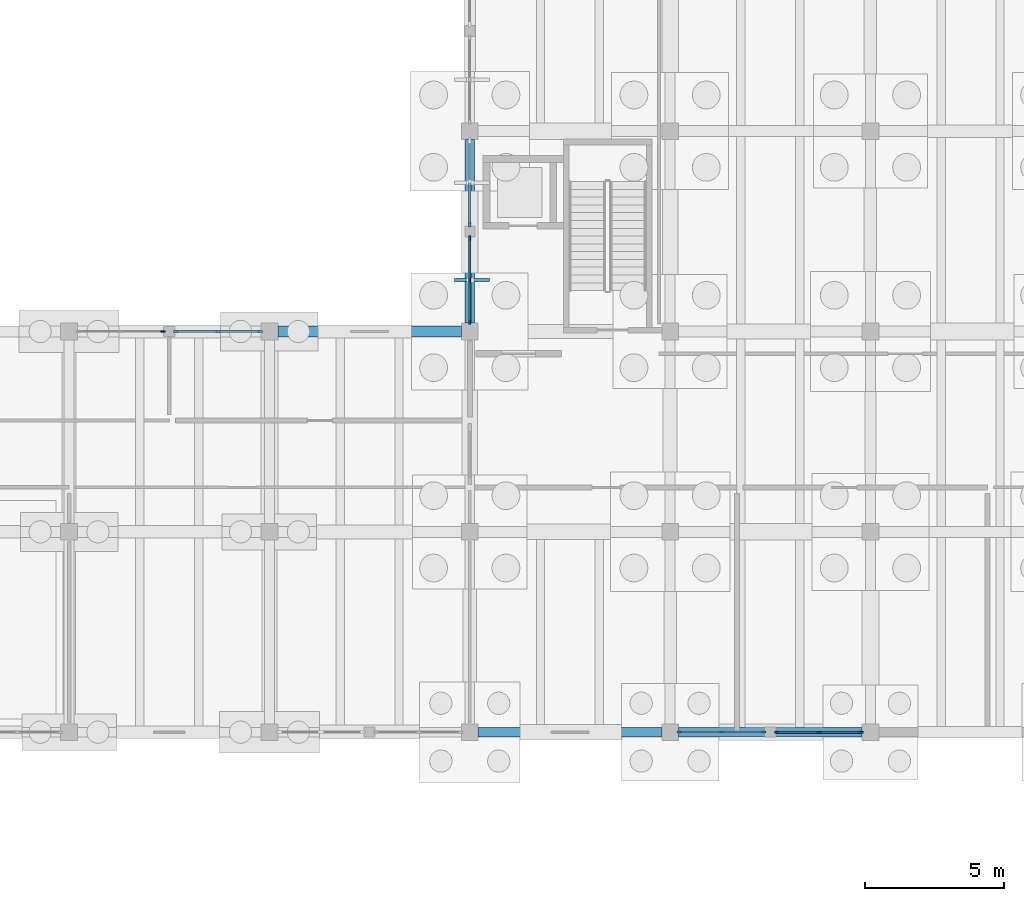
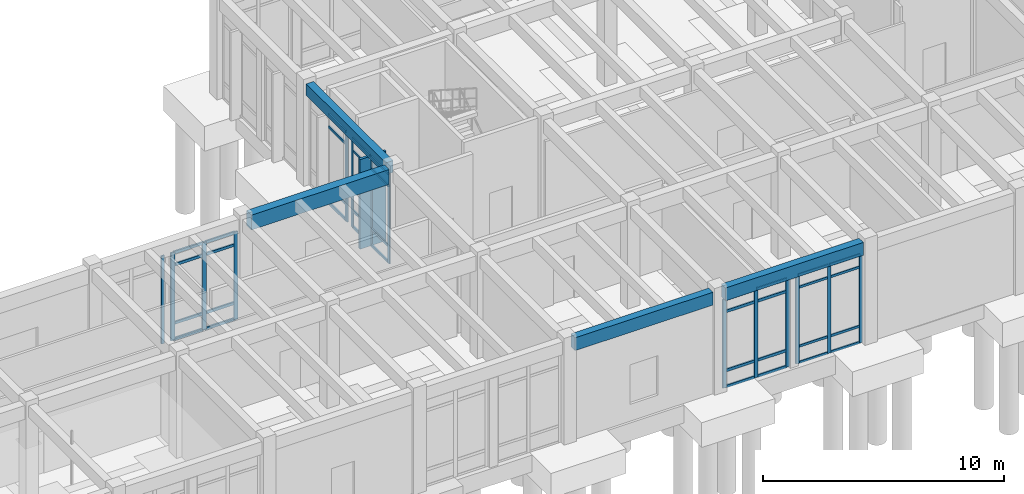
# One storey, part 23 of 93: 51 members, 4 beams, 6 elements without a shape of their own.
"""IFC4 building model written with IfcOpenShell, lengths in metres."""

from ifc_helpers import new_model, si_unit, direction, frame, origin, origin_2d, place, context, subcontext, project, spatial, rectangle, extrude, material, layer, layer_set, material_profile, profile_set, type_object, element, aggregate, save


model = new_model("IFC4")

# Units and contexts
model_context = context("Model", 3, precision=1e-05, world=origin(), true_north=direction((0.0, 1.0)))
body_context = subcontext(model_context, "Body", "Model", "MODEL_VIEW")
ifc_project = project(units=[si_unit("LENGTHUNIT", "METRE"), si_unit("AREAUNIT", "SQUARE_METRE"), si_unit("VOLUMEUNIT", "CUBIC_METRE"), si_unit("PLANEANGLEUNIT", "RADIAN"), si_unit("MASSUNIT", "GRAM", prefix="KILO")], contexts=[model_context])

# Site, building, storey
site_placement = place(None, origin())
site = spatial("IfcSite", under=ifc_project, at=site_placement, CompositionType="ELEMENT")
building_placement = place(site_placement, origin())
building = spatial("IfcBuilding", under=site, at=building_placement, Name="Koriwan Promenade Central Fire Station", CompositionType="ELEMENT")
storey_placement = place(building_placement, origin())
storey = spatial("IfcBuildingStorey", under=building, at=storey_placement, Name="L00", CompositionType="ELEMENT", Elevation=0.0)

# Beams
ifc_material_1 = material(Name="Concrete C35/45", Category="concrete")
ifc_material_profile_1 = material_profile(ifc_material_1, rectangle(XDim=0.35009765625, YDim=0.60009765625, at=origin_2d()), Name="RC-BM-350x600")
ifc_profile_set_1 = profile_set([ifc_material_profile_1], Name="Concrete C35/45")
beam_type_1 = type_object("IfcBeamType", Name="Beam_RC-BM-350x600", PredefinedType="BEAM", material=ifc_profile_set_1)
beam_1_placement = place(storey_placement, frame((28.800048828125, 57.89990234375, 4.85009765625), z_axis=(0.0, 1.0, 0.0), x_axis=(-1.0, 0.0, 0.0)))
element("IfcBeam", 1, at=beam_1_placement, inside=storey, type_object=beam_type_1, Name="V4 L00 girder Y-364", PredefinedType="BEAM", context=body_context, shape_type="SweptSolid", body=[
    extrude(rectangle(XDim=0.35009765625, YDim=0.60009765625, at=origin_2d()), origin(), (0.0, 0.0, 1.0), 6.60009765625),
])
ifc_material_profile_2 = material_profile(ifc_material_1, rectangle(XDim=0.39990234375, YDim=0.75, at=origin_2d()), Name="RC-BM-400x750")
ifc_profile_set_2 = profile_set([ifc_material_profile_2], Name="Concrete C35/45")
beam_type_2 = type_object("IfcBeamType", Name="Beam_RC-BM-400x750", PredefinedType="BEAM", material=ifc_profile_set_2)
beam_2_placement = place(storey_placement, frame((21.89990234375, 57.60009765625, 4.784912109375), z_axis=(1.0, 0.0, 0.0), x_axis=(0.0, 1.0, 0.0)))
element("IfcBeam", 2, at=beam_2_placement, inside=storey, type_object=beam_type_2, Name="V4 L00 girder X-343", PredefinedType="BEAM", context=body_context, shape_type="SweptSolid", body=[
    extrude(rectangle(XDim=0.39990234375, YDim=0.75, at=origin_2d()), origin(), (0.0, 0.0, 1.0), 6.60009765625),
])
ifc_material_profile_3 = material_profile(ifc_material_1, rectangle(XDim=0.35009765625, YDim=0.64990234375, at=origin_2d()), Name="RC-SP-350x650")
ifc_profile_set_3 = profile_set([ifc_material_profile_3], Name="Concrete C35/45")
beam_type_3 = type_object("IfcBeamType", Name="Beam_RC-SP-350x650", PredefinedType="SPANDREL", material=ifc_profile_set_3)
for number, where, z_axis, x_axis, name in (
    (3, (29.10009765625, 43.199951171875, 4.824951171875), (1.0, 0.0, 0.0), (0.0, 1.0, 0.0), "V4 L00 girder X-328"),
    (4, (36.300048828125, 43.199951171875, 4.824951171875), (1.0, 0.0, 0.0), (0.0, 1.0, 0.0), "V4 L00 girder X-329"),
):
    element("IfcBeam", number, at=place(storey_placement, frame(where, z_axis=z_axis, x_axis=x_axis)), inside=storey, type_object=beam_type_3, Name=name, PredefinedType="SPANDREL", context=body_context, shape_type="SweptSolid", body=[
        extrude(rectangle(XDim=0.35009765625, YDim=0.64990234375, at=origin_2d()), origin(), (0.0, 0.0, 1.0), 6.599853515625),
    ])

# Curtain wall, member
ifc_material_2 = material(Name="Aluminium EN AW-6063-T6 and low-E glazing", Category="aluminium")
ifc_layer_1 = layer(ifc_material_2, 0.159912109375, Name="Aluminium EN AW-6063-T6 and low-E glazing")
ifc_layer_set_1 = layer_set([ifc_layer_1], Name="Aluminium EN AW-6063-T6 and low-E glazing")
curtain_wall_type_1 = type_object("IfcCurtainWallType", Name="CurtainWall_37_310x445", PredefinedType="USERDEFINED", material=ifc_layer_set_1)
curtain_wall_1_placement = place(storey_placement, origin())
curtain_wall_1 = element("IfcCurtainWall", 5, at=curtain_wall_1_placement, inside=storey, type_object=curtain_wall_type_1, Name="V4 L00 unitised curtain wall 085", ObjectType="UNITISED CURTAIN WALL", PredefinedType="USERDEFINED")
ifc_material_3 = material(Name="Aluminium EN AW-6063-T6", Category="aluminium")
ifc_material_profile_4 = material_profile(ifc_material_3, rectangle(XDim=0.06494140625, YDim=0.159912109375, at=origin_2d()), Name="ALU-MUL-65x160")
ifc_profile_set_4 = profile_set([ifc_material_profile_4], Name="Aluminium EN AW-6063-T6")
member_type_1 = type_object("IfcMemberType", Name="CWMullion_ALU-MUL-65x160", PredefinedType="MULLION", material=ifc_profile_set_4)
member_1_placement = place(storey_placement, frame((17.767578125, 57.60009765625, 0.0), z_axis=(0.0, 0.0, 1.0), x_axis=(0.0, 1.0, 0.0)))
member_1 = element("IfcMember", 6, at=member_1_placement, type_object=member_type_1, Name="CW-37 mullion 3", PredefinedType="MULLION", context=body_context, shape_type="SweptSolid", body=[
    extrude(rectangle(XDim=0.06494140625, YDim=0.159912109375, at=origin_2d()), origin(), (0.0, 0.0, 1.0), 4.449951171875),
])
aggregate(curtain_wall_1, [member_1])

# Curtain wall, members
ifc_layer_2 = layer(ifc_material_2, 0.159912109375, Name="Aluminium EN AW-6063-T6 and low-E glazing")
ifc_layer_set_2 = layer_set([ifc_layer_2], Name="Aluminium EN AW-6063-T6 and low-E glazing")
curtain_wall_type_2 = type_object("IfcCurtainWallType", Name="CurtainWall_33_310x454", PredefinedType="USERDEFINED", material=ifc_layer_set_2)
curtain_wall_2_placement = place(storey_placement, origin())
curtain_wall_2 = element("IfcCurtainWall", 7, at=curtain_wall_2_placement, inside=storey, type_object=curtain_wall_type_2, Name="V4 L00 unitised curtain wall 087", ObjectType="UNITISED CURTAIN WALL", PredefinedType="USERDEFINED")
member_2_placement = place(storey_placement, frame((28.800048828125, 57.9326171875, 0.0), z_axis=(0.0, 0.0, 1.0), x_axis=(-1.0, 0.0, 0.0)))
member_2 = element("IfcMember", 8, at=member_2_placement, type_object=member_type_1, Name="CW-33 mullion 1", PredefinedType="MULLION", context=body_context, shape_type="SweptSolid", body=[
    extrude(rectangle(XDim=0.06494140625, YDim=0.159912109375, at=origin_2d()), origin(), (0.0, 0.0, 1.0), 4.5400390625),
])
member_3_placement = place(storey_placement, frame((28.800048828125, 59.449951171875, 0.0), z_axis=(0.0, 0.0, 1.0), x_axis=(-1.0, 0.0, 0.0)))
member_3 = element("IfcMember", 9, at=member_3_placement, type_object=member_type_1, Name="CW-33 mullion 2", PredefinedType="MULLION", context=body_context, shape_type="SweptSolid", body=[
    extrude(rectangle(XDim=0.06494140625, YDim=0.159912109375, at=origin_2d()), origin(), (0.0, 0.0, 1.0), 4.5400390625),
])
member_4_placement = place(storey_placement, frame((28.800048828125, 60.967529296875, 0.0), z_axis=(0.0, 0.0, 1.0), x_axis=(-1.0, 0.0, 0.0)))
member_4 = element("IfcMember", 10, at=member_4_placement, type_object=member_type_1, Name="CW-33 mullion 3", PredefinedType="MULLION", context=body_context, shape_type="SweptSolid", body=[
    extrude(rectangle(XDim=0.06494140625, YDim=0.159912109375, at=origin_2d()), origin(), (0.0, 0.0, 1.0), 4.5400390625),
])

ifc_layer_3 = layer(ifc_material_2, 0.159912109375, Name="Aluminium EN AW-6063-T6 and low-E glazing")
ifc_layer_set_3 = layer_set([ifc_layer_3], Name="Aluminium EN AW-6063-T6 and low-E glazing")
curtain_wall_type_3 = type_object("IfcCurtainWallType", Name="CurtainWall_24_310x449", PredefinedType="USERDEFINED", material=ifc_layer_set_3)
curtain_wall_3_placement = place(storey_placement, origin())
curtain_wall_3 = element("IfcCurtainWall", 11, at=curtain_wall_3_placement, inside=storey, type_object=curtain_wall_type_3, Name="V4 L00 unitised curtain wall 103", ObjectType="UNITISED CURTAIN WALL", PredefinedType="USERDEFINED")
member_5_placement = place(storey_placement, frame((42.867431640625, 43.199951171875, 0.0), z_axis=(0.0, 0.0, 1.0), x_axis=(0.0, -1.0, 0.0)))
member_5 = element("IfcMember", 12, at=member_5_placement, type_object=member_type_1, Name="CW-24 mullion 1", PredefinedType="MULLION", context=body_context, shape_type="SweptSolid", body=[
    extrude(rectangle(XDim=0.06494140625, YDim=0.159912109375, at=origin_2d()), origin(), (0.0, 0.0, 1.0), 4.489990234375),
])
member_6_placement = place(storey_placement, frame((41.35009765625, 43.199951171875, 0.0), z_axis=(0.0, 0.0, 1.0), x_axis=(0.0, -1.0, 0.0)))
member_6 = element("IfcMember", 13, at=member_6_placement, type_object=member_type_1, Name="CW-24 mullion 2", PredefinedType="MULLION", context=body_context, shape_type="SweptSolid", body=[
    extrude(rectangle(XDim=0.06494140625, YDim=0.159912109375, at=origin_2d()), origin(), (0.0, 0.0, 1.0), 4.489990234375),
])
member_7_placement = place(storey_placement, frame((39.83251953125, 43.199951171875, 0.0), z_axis=(0.0, 0.0, 1.0), x_axis=(0.0, -1.0, 0.0)))
member_7 = element("IfcMember", 14, at=member_7_placement, type_object=member_type_1, Name="CW-24 mullion 3", PredefinedType="MULLION", context=body_context, shape_type="SweptSolid", body=[
    extrude(rectangle(XDim=0.06494140625, YDim=0.159912109375, at=origin_2d()), origin(), (0.0, 0.0, 1.0), 4.489990234375),
])

ifc_layer_4 = layer(ifc_material_2, 0.159912109375, Name="Aluminium EN AW-6063-T6 and low-E glazing")
ifc_layer_set_4 = layer_set([ifc_layer_4], Name="Aluminium EN AW-6063-T6 and low-E glazing")
curtain_wall_type_4 = type_object("IfcCurtainWallType", Name="CurtainWall_38_310x445", PredefinedType="USERDEFINED", material=ifc_layer_set_4)
curtain_wall_4_placement = place(storey_placement, origin())
curtain_wall_4 = element("IfcCurtainWall", 15, at=curtain_wall_4_placement, inside=storey, type_object=curtain_wall_type_4, Name="V4 L00 unitised curtain wall 086", ObjectType="UNITISED CURTAIN WALL", PredefinedType="USERDEFINED")
ifc_material_profile_5 = material_profile(ifc_material_3, rectangle(XDim=0.074951171875, YDim=0.179931640625, at=origin_2d()), Name="ALU-MUL-75x180")
ifc_profile_set_5 = profile_set([ifc_material_profile_5], Name="Aluminium EN AW-6063-T6")
member_type_2 = type_object("IfcMemberType", Name="CWMullion_ALU-MUL-75x180", PredefinedType="MULLION", material=ifc_profile_set_5)
member_8_placement = place(storey_placement, frame((18.237548828125, 57.60009765625, 0.0), z_axis=(0.0, 0.0, 1.0), x_axis=(0.0, 1.0, 0.0)))
member_8 = element("IfcMember", 16, at=member_8_placement, type_object=member_type_2, Name="CW-38 mullion 1", PredefinedType="MULLION", context=body_context, shape_type="SweptSolid", body=[
    extrude(rectangle(XDim=0.074951171875, YDim=0.179931640625, at=origin_2d()), origin(), (0.0, 0.0, 1.0), 4.449951171875),
])
member_9_placement = place(storey_placement, frame((19.75, 57.60009765625, 0.0), z_axis=(0.0, 0.0, 1.0), x_axis=(0.0, 1.0, 0.0)))
member_9 = element("IfcMember", 17, at=member_9_placement, type_object=member_type_2, Name="CW-38 mullion 2", PredefinedType="MULLION", context=body_context, shape_type="SweptSolid", body=[
    extrude(rectangle(XDim=0.074951171875, YDim=0.179931640625, at=origin_2d()), origin(), (0.0, 0.0, 1.0), 4.449951171875),
])
member_10_placement = place(storey_placement, frame((21.262451171875, 57.60009765625, 0.0), z_axis=(0.0, 0.0, 1.0), x_axis=(0.0, 1.0, 0.0)))
member_10 = element("IfcMember", 18, at=member_10_placement, type_object=member_type_2, Name="CW-38 mullion 3", PredefinedType="MULLION", context=body_context, shape_type="SweptSolid", body=[
    extrude(rectangle(XDim=0.074951171875, YDim=0.179931640625, at=origin_2d()), origin(), (0.0, 0.0, 1.0), 4.449951171875),
])

# Curtain wall, member
ifc_layer_5 = layer(ifc_material_2, 0.159912109375, Name="Aluminium EN AW-6063-T6 and low-E glazing")
ifc_layer_set_5 = layer_set([ifc_layer_5], Name="Aluminium EN AW-6063-T6 and low-E glazing")
curtain_wall_type_5 = type_object("IfcCurtainWallType", Name="CurtainWall_34_310x454", PredefinedType="USERDEFINED", material=ifc_layer_set_5)
curtain_wall_5_placement = place(storey_placement, origin())
curtain_wall_5 = element("IfcCurtainWall", 19, at=curtain_wall_5_placement, inside=storey, type_object=curtain_wall_type_5, Name="V4 L00 unitised curtain wall 088", ObjectType="UNITISED CURTAIN WALL", PredefinedType="USERDEFINED")
member_11_placement = place(storey_placement, frame((28.800048828125, 61.4375, 0.0), z_axis=(0.0, 0.0, 1.0), x_axis=(-1.0, 0.0, 0.0)))
member_11 = element("IfcMember", 20, at=member_11_placement, type_object=member_type_2, Name="CW-34 mullion 1", PredefinedType="MULLION", context=body_context, shape_type="SweptSolid", body=[
    extrude(rectangle(XDim=0.074951171875, YDim=0.179931640625, at=origin_2d()), origin(), (0.0, 0.0, 1.0), 4.5400390625),
])

# Curtain wall, members
ifc_layer_6 = layer(ifc_material_2, 0.159912109375, Name="Aluminium EN AW-6063-T6 and low-E glazing")
ifc_layer_set_6 = layer_set([ifc_layer_6], Name="Aluminium EN AW-6063-T6 and low-E glazing")
curtain_wall_type_6 = type_object("IfcCurtainWallType", Name="CurtainWall_39_310x449", PredefinedType="USERDEFINED", material=ifc_layer_set_6)
curtain_wall_6_placement = place(storey_placement, origin())
curtain_wall_6 = element("IfcCurtainWall", 21, at=curtain_wall_6_placement, inside=storey, type_object=curtain_wall_type_6, Name="V4 L00 unitised curtain wall 104", ObjectType="UNITISED CURTAIN WALL", PredefinedType="USERDEFINED")
member_12_placement = place(storey_placement, frame((39.362548828125, 43.199951171875, 0.0), z_axis=(0.0, 0.0, 1.0), x_axis=(0.0, -1.0, 0.0)))
member_12 = element("IfcMember", 22, at=member_12_placement, type_object=member_type_2, Name="CW-39 mullion 1", PredefinedType="MULLION", context=body_context, shape_type="SweptSolid", body=[
    extrude(rectangle(XDim=0.074951171875, YDim=0.179931640625, at=origin_2d()), origin(), (0.0, 0.0, 1.0), 4.489990234375),
])
member_13_placement = place(storey_placement, frame((37.85009765625, 43.199951171875, 0.0), z_axis=(0.0, 0.0, 1.0), x_axis=(0.0, -1.0, 0.0)))
member_13 = element("IfcMember", 23, at=member_13_placement, type_object=member_type_2, Name="CW-39 mullion 2", PredefinedType="MULLION", context=body_context, shape_type="SweptSolid", body=[
    extrude(rectangle(XDim=0.074951171875, YDim=0.179931640625, at=origin_2d()), origin(), (0.0, 0.0, 1.0), 4.489990234375),
])
member_14_placement = place(storey_placement, frame((36.33740234375, 43.199951171875, 0.0), z_axis=(0.0, 0.0, 1.0), x_axis=(0.0, -1.0, 0.0)))
member_14 = element("IfcMember", 24, at=member_14_placement, type_object=member_type_2, Name="CW-39 mullion 3", PredefinedType="MULLION", context=body_context, shape_type="SweptSolid", body=[
    extrude(rectangle(XDim=0.074951171875, YDim=0.179931640625, at=origin_2d()), origin(), (0.0, 0.0, 1.0), 4.489990234375),
])

# Member
ifc_material_profile_6 = material_profile(ifc_material_3, rectangle(XDim=0.06494140625, YDim=0.1201171875, at=origin_2d()), Name="ALU-TRN-65x120")
ifc_profile_set_6 = profile_set([ifc_material_profile_6], Name="Aluminium EN AW-6063-T6")
member_type_3 = type_object("IfcMemberType", Name="CWTransom_ALU-TRN-65x120", PredefinedType="USERDEFINED", material=ifc_profile_set_6)
member_15_placement = place(storey_placement, frame((28.800048828125, 57.965087890625, 0.032470703125), z_axis=(0.0, 1.0, 0.0), x_axis=(-1.0, 0.0, 0.0)))
member_15 = element("IfcMember", 25, at=member_15_placement, type_object=member_type_3, Name="CW-33 transom 1.1", ObjectType="TRANSOM", PredefinedType="USERDEFINED", context=body_context, shape_type="SweptSolid", body=[
    extrude(rectangle(XDim=0.06494140625, YDim=0.1201171875, at=origin_2d()), origin(), (0.0, 0.0, 1.0), 1.452392578125),
])

member_16_placement = place(storey_placement, frame((28.800048828125, 57.965087890625, 0.85009765625), z_axis=(0.0, 1.0, 0.0), x_axis=(-1.0, 0.0, 0.0)))
member_16 = element("IfcMember", 26, at=member_16_placement, type_object=member_type_3, Name="CW-33 transom 1.2", ObjectType="TRANSOM", PredefinedType="USERDEFINED", context=body_context, shape_type="SweptSolid", body=[
    extrude(rectangle(XDim=0.06494140625, YDim=0.1201171875, at=origin_2d()), origin(), (0.0, 0.0, 1.0), 1.452392578125),
])

member_17_placement = place(storey_placement, frame((28.800048828125, 57.965087890625, 3.889892578125), z_axis=(0.0, 1.0, 0.0), x_axis=(-1.0, 0.0, 0.0)))
member_17 = element("IfcMember", 27, at=member_17_placement, type_object=member_type_3, Name="CW-33 transom 1.3", ObjectType="TRANSOM", PredefinedType="USERDEFINED", context=body_context, shape_type="SweptSolid", body=[
    extrude(rectangle(XDim=0.06494140625, YDim=0.1201171875, at=origin_2d()), origin(), (0.0, 0.0, 1.0), 1.452392578125),
])

member_18_placement = place(storey_placement, frame((28.800048828125, 57.965087890625, 4.507568359375), z_axis=(0.0, 1.0, 0.0), x_axis=(-1.0, 0.0, 0.0)))
member_18 = element("IfcMember", 28, at=member_18_placement, type_object=member_type_3, Name="CW-33 transom 1.4", ObjectType="TRANSOM", PredefinedType="USERDEFINED", context=body_context, shape_type="SweptSolid", body=[
    extrude(rectangle(XDim=0.06494140625, YDim=0.1201171875, at=origin_2d()), origin(), (0.0, 0.0, 1.0), 1.452392578125),
])

member_19_placement = place(storey_placement, frame((28.800048828125, 59.482421875, 0.032470703125), z_axis=(0.0, 1.0, 0.0), x_axis=(-1.0, 0.0, 0.0)))
member_19 = element("IfcMember", 29, at=member_19_placement, type_object=member_type_3, Name="CW-33 transom 2.1", ObjectType="TRANSOM", PredefinedType="USERDEFINED", context=body_context, shape_type="SweptSolid", body=[
    extrude(rectangle(XDim=0.06494140625, YDim=0.1201171875, at=origin_2d()), origin(), (0.0, 0.0, 1.0), 1.45263671875),
])

member_20_placement = place(storey_placement, frame((28.800048828125, 59.482421875, 0.85009765625), z_axis=(0.0, 1.0, 0.0), x_axis=(-1.0, 0.0, 0.0)))
member_20 = element("IfcMember", 30, at=member_20_placement, type_object=member_type_3, Name="CW-33 transom 2.2", ObjectType="TRANSOM", PredefinedType="USERDEFINED", context=body_context, shape_type="SweptSolid", body=[
    extrude(rectangle(XDim=0.06494140625, YDim=0.1201171875, at=origin_2d()), origin(), (0.0, 0.0, 1.0), 1.45263671875),
])

member_21_placement = place(storey_placement, frame((28.800048828125, 59.482421875, 3.889892578125), z_axis=(0.0, 1.0, 0.0), x_axis=(-1.0, 0.0, 0.0)))
member_21 = element("IfcMember", 31, at=member_21_placement, type_object=member_type_3, Name="CW-33 transom 2.3", ObjectType="TRANSOM", PredefinedType="USERDEFINED", context=body_context, shape_type="SweptSolid", body=[
    extrude(rectangle(XDim=0.06494140625, YDim=0.1201171875, at=origin_2d()), origin(), (0.0, 0.0, 1.0), 1.45263671875),
])

member_22_placement = place(storey_placement, frame((28.800048828125, 59.482421875, 4.507568359375), z_axis=(0.0, 1.0, 0.0), x_axis=(-1.0, 0.0, 0.0)))
member_22 = element("IfcMember", 32, at=member_22_placement, type_object=member_type_3, Name="CW-33 transom 2.4", ObjectType="TRANSOM", PredefinedType="USERDEFINED", context=body_context, shape_type="SweptSolid", body=[
    extrude(rectangle(XDim=0.06494140625, YDim=0.1201171875, at=origin_2d()), origin(), (0.0, 0.0, 1.0), 1.45263671875),
])

aggregate(curtain_wall_2, [member_2, member_3, member_4, member_15, member_16, member_17, member_18, member_19, member_20, member_21, member_22])

member_23_placement = place(storey_placement, frame((42.8349609375, 43.199951171875, 0.032470703125), z_axis=(-1.0, 0.0, 0.0), x_axis=(0.0, -1.0, 0.0)))
member_23 = element("IfcMember", 33, at=member_23_placement, type_object=member_type_3, Name="CW-24 transom 1.1", ObjectType="TRANSOM", PredefinedType="USERDEFINED", context=body_context, shape_type="SweptSolid", body=[
    extrude(rectangle(XDim=0.06494140625, YDim=0.1201171875, at=origin_2d()), origin(), (0.0, 0.0, 1.0), 1.452392578125),
])

member_24_placement = place(storey_placement, frame((42.8349609375, 43.199951171875, 0.85009765625), z_axis=(-1.0, 0.0, 0.0), x_axis=(0.0, -1.0, 0.0)))
member_24 = element("IfcMember", 34, at=member_24_placement, type_object=member_type_3, Name="CW-24 transom 1.2", ObjectType="TRANSOM", PredefinedType="USERDEFINED", context=body_context, shape_type="SweptSolid", body=[
    extrude(rectangle(XDim=0.06494140625, YDim=0.1201171875, at=origin_2d()), origin(), (0.0, 0.0, 1.0), 1.452392578125),
])

member_25_placement = place(storey_placement, frame((42.8349609375, 43.199951171875, 3.840087890625), z_axis=(-1.0, 0.0, 0.0), x_axis=(0.0, -1.0, 0.0)))
member_25 = element("IfcMember", 35, at=member_25_placement, type_object=member_type_3, Name="CW-24 transom 1.3", ObjectType="TRANSOM", PredefinedType="USERDEFINED", context=body_context, shape_type="SweptSolid", body=[
    extrude(rectangle(XDim=0.06494140625, YDim=0.1201171875, at=origin_2d()), origin(), (0.0, 0.0, 1.0), 1.452392578125),
])

member_26_placement = place(storey_placement, frame((42.8349609375, 43.199951171875, 4.45751953125), z_axis=(-1.0, 0.0, 0.0), x_axis=(0.0, -1.0, 0.0)))
member_26 = element("IfcMember", 36, at=member_26_placement, type_object=member_type_3, Name="CW-24 transom 1.4", ObjectType="TRANSOM", PredefinedType="USERDEFINED", context=body_context, shape_type="SweptSolid", body=[
    extrude(rectangle(XDim=0.06494140625, YDim=0.1201171875, at=origin_2d()), origin(), (0.0, 0.0, 1.0), 1.452392578125),
])

member_27_placement = place(storey_placement, frame((41.3173828125, 43.199951171875, 0.032470703125), z_axis=(-1.0, 0.0, 0.0), x_axis=(0.0, -1.0, 0.0)))
member_27 = element("IfcMember", 37, at=member_27_placement, type_object=member_type_3, Name="CW-24 transom 2.1", ObjectType="TRANSOM", PredefinedType="USERDEFINED", context=body_context, shape_type="SweptSolid", body=[
    extrude(rectangle(XDim=0.06494140625, YDim=0.1201171875, at=origin_2d()), origin(), (0.0, 0.0, 1.0), 1.452392578125),
])

member_28_placement = place(storey_placement, frame((41.3173828125, 43.199951171875, 0.85009765625), z_axis=(-1.0, 0.0, 0.0), x_axis=(0.0, -1.0, 0.0)))
member_28 = element("IfcMember", 38, at=member_28_placement, type_object=member_type_3, Name="CW-24 transom 2.2", ObjectType="TRANSOM", PredefinedType="USERDEFINED", context=body_context, shape_type="SweptSolid", body=[
    extrude(rectangle(XDim=0.06494140625, YDim=0.1201171875, at=origin_2d()), origin(), (0.0, 0.0, 1.0), 1.452392578125),
])

member_29_placement = place(storey_placement, frame((41.3173828125, 43.199951171875, 3.840087890625), z_axis=(-1.0, 0.0, 0.0), x_axis=(0.0, -1.0, 0.0)))
member_29 = element("IfcMember", 39, at=member_29_placement, type_object=member_type_3, Name="CW-24 transom 2.3", ObjectType="TRANSOM", PredefinedType="USERDEFINED", context=body_context, shape_type="SweptSolid", body=[
    extrude(rectangle(XDim=0.06494140625, YDim=0.1201171875, at=origin_2d()), origin(), (0.0, 0.0, 1.0), 1.452392578125),
])

member_30_placement = place(storey_placement, frame((41.3173828125, 43.199951171875, 4.45751953125), z_axis=(-1.0, 0.0, 0.0), x_axis=(0.0, -1.0, 0.0)))
member_30 = element("IfcMember", 40, at=member_30_placement, type_object=member_type_3, Name="CW-24 transom 2.4", ObjectType="TRANSOM", PredefinedType="USERDEFINED", context=body_context, shape_type="SweptSolid", body=[
    extrude(rectangle(XDim=0.06494140625, YDim=0.1201171875, at=origin_2d()), origin(), (0.0, 0.0, 1.0), 1.452392578125),
])

aggregate(curtain_wall_3, [member_5, member_6, member_7, member_23, member_24, member_25, member_26, member_27, member_28, member_29, member_30])

ifc_material_profile_7 = material_profile(ifc_material_3, rectangle(XDim=0.074951171875, YDim=0.139892578125, at=origin_2d()), Name="ALU-TRN-75x140")
ifc_profile_set_7 = profile_set([ifc_material_profile_7], Name="Aluminium EN AW-6063-T6")
member_type_4 = type_object("IfcMemberType", Name="CWTransom_ALU-TRN-75x140", PredefinedType="USERDEFINED", material=ifc_profile_set_7)
member_31_placement = place(storey_placement, frame((18.27490234375, 57.60009765625, 0.03759765625), z_axis=(1.0, 0.0, 0.0), x_axis=(0.0, 1.0, 0.0)))
member_31 = element("IfcMember", 41, at=member_31_placement, type_object=member_type_4, Name="CW-38 transom 1.1", ObjectType="TRANSOM", PredefinedType="USERDEFINED", context=body_context, shape_type="SweptSolid", body=[
    extrude(rectangle(XDim=0.074951171875, YDim=0.139892578125, at=origin_2d()), origin(), (0.0, 0.0, 1.0), 1.4375),
])

member_32_placement = place(storey_placement, frame((18.27490234375, 57.60009765625, 0.85009765625), z_axis=(1.0, 0.0, 0.0), x_axis=(0.0, 1.0, 0.0)))
member_32 = element("IfcMember", 42, at=member_32_placement, type_object=member_type_4, Name="CW-38 transom 1.2", ObjectType="TRANSOM", PredefinedType="USERDEFINED", context=body_context, shape_type="SweptSolid", body=[
    extrude(rectangle(XDim=0.074951171875, YDim=0.139892578125, at=origin_2d()), origin(), (0.0, 0.0, 1.0), 1.4375),
])

member_33_placement = place(storey_placement, frame((18.27490234375, 57.60009765625, 3.800048828125), z_axis=(1.0, 0.0, 0.0), x_axis=(0.0, 1.0, 0.0)))
member_33 = element("IfcMember", 43, at=member_33_placement, type_object=member_type_4, Name="CW-38 transom 1.3", ObjectType="TRANSOM", PredefinedType="USERDEFINED", context=body_context, shape_type="SweptSolid", body=[
    extrude(rectangle(XDim=0.074951171875, YDim=0.139892578125, at=origin_2d()), origin(), (0.0, 0.0, 1.0), 1.4375),
])

member_34_placement = place(storey_placement, frame((18.27490234375, 57.60009765625, 4.41259765625), z_axis=(1.0, 0.0, 0.0), x_axis=(0.0, 1.0, 0.0)))
member_34 = element("IfcMember", 44, at=member_34_placement, type_object=member_type_4, Name="CW-38 transom 1.4", ObjectType="TRANSOM", PredefinedType="USERDEFINED", context=body_context, shape_type="SweptSolid", body=[
    extrude(rectangle(XDim=0.074951171875, YDim=0.139892578125, at=origin_2d()), origin(), (0.0, 0.0, 1.0), 1.4375),
])

member_35_placement = place(storey_placement, frame((19.78759765625, 57.60009765625, 0.03759765625), z_axis=(1.0, 0.0, 0.0), x_axis=(0.0, 1.0, 0.0)))
member_35 = element("IfcMember", 45, at=member_35_placement, type_object=member_type_4, Name="CW-38 transom 2.1", ObjectType="TRANSOM", PredefinedType="USERDEFINED", context=body_context, shape_type="SweptSolid", body=[
    extrude(rectangle(XDim=0.074951171875, YDim=0.139892578125, at=origin_2d()), origin(), (0.0, 0.0, 1.0), 1.4375),
])

member_36_placement = place(storey_placement, frame((19.78759765625, 57.60009765625, 0.85009765625), z_axis=(1.0, 0.0, 0.0), x_axis=(0.0, 1.0, 0.0)))
member_36 = element("IfcMember", 46, at=member_36_placement, type_object=member_type_4, Name="CW-38 transom 2.2", ObjectType="TRANSOM", PredefinedType="USERDEFINED", context=body_context, shape_type="SweptSolid", body=[
    extrude(rectangle(XDim=0.074951171875, YDim=0.139892578125, at=origin_2d()), origin(), (0.0, 0.0, 1.0), 1.4375),
])

member_37_placement = place(storey_placement, frame((19.78759765625, 57.60009765625, 3.800048828125), z_axis=(1.0, 0.0, 0.0), x_axis=(0.0, 1.0, 0.0)))
member_37 = element("IfcMember", 47, at=member_37_placement, type_object=member_type_4, Name="CW-38 transom 2.3", ObjectType="TRANSOM", PredefinedType="USERDEFINED", context=body_context, shape_type="SweptSolid", body=[
    extrude(rectangle(XDim=0.074951171875, YDim=0.139892578125, at=origin_2d()), origin(), (0.0, 0.0, 1.0), 1.4375),
])

member_38_placement = place(storey_placement, frame((19.78759765625, 57.60009765625, 4.41259765625), z_axis=(1.0, 0.0, 0.0), x_axis=(0.0, 1.0, 0.0)))
member_38 = element("IfcMember", 48, at=member_38_placement, type_object=member_type_4, Name="CW-38 transom 2.4", ObjectType="TRANSOM", PredefinedType="USERDEFINED", context=body_context, shape_type="SweptSolid", body=[
    extrude(rectangle(XDim=0.074951171875, YDim=0.139892578125, at=origin_2d()), origin(), (0.0, 0.0, 1.0), 1.4375),
])

aggregate(curtain_wall_4, [member_8, member_9, member_10, member_31, member_32, member_33, member_34, member_35, member_36, member_37, member_38])

member_39_placement = place(storey_placement, frame((28.800048828125, 61.47509765625, 0.03759765625), z_axis=(0.0, 1.0, 0.0), x_axis=(-1.0, 0.0, 0.0)))
member_39 = element("IfcMember", 49, at=member_39_placement, type_object=member_type_4, Name="CW-34 transom 1.1", ObjectType="TRANSOM", PredefinedType="USERDEFINED", context=body_context, shape_type="SweptSolid", body=[
    extrude(rectangle(XDim=0.074951171875, YDim=0.139892578125, at=origin_2d()), origin(), (0.0, 0.0, 1.0), 1.4375),
])

member_40_placement = place(storey_placement, frame((28.800048828125, 61.47509765625, 0.85009765625), z_axis=(0.0, 1.0, 0.0), x_axis=(-1.0, 0.0, 0.0)))
member_40 = element("IfcMember", 50, at=member_40_placement, type_object=member_type_4, Name="CW-34 transom 1.2", ObjectType="TRANSOM", PredefinedType="USERDEFINED", context=body_context, shape_type="SweptSolid", body=[
    extrude(rectangle(XDim=0.074951171875, YDim=0.139892578125, at=origin_2d()), origin(), (0.0, 0.0, 1.0), 1.4375),
])

member_41_placement = place(storey_placement, frame((28.800048828125, 61.47509765625, 3.889892578125), z_axis=(0.0, 1.0, 0.0), x_axis=(-1.0, 0.0, 0.0)))
member_41 = element("IfcMember", 51, at=member_41_placement, type_object=member_type_4, Name="CW-34 transom 1.3", ObjectType="TRANSOM", PredefinedType="USERDEFINED", context=body_context, shape_type="SweptSolid", body=[
    extrude(rectangle(XDim=0.074951171875, YDim=0.139892578125, at=origin_2d()), origin(), (0.0, 0.0, 1.0), 1.4375),
])

member_42_placement = place(storey_placement, frame((28.800048828125, 61.47509765625, 4.50244140625), z_axis=(0.0, 1.0, 0.0), x_axis=(-1.0, 0.0, 0.0)))
member_42 = element("IfcMember", 52, at=member_42_placement, type_object=member_type_4, Name="CW-34 transom 1.4", ObjectType="TRANSOM", PredefinedType="USERDEFINED", context=body_context, shape_type="SweptSolid", body=[
    extrude(rectangle(XDim=0.074951171875, YDim=0.139892578125, at=origin_2d()), origin(), (0.0, 0.0, 1.0), 1.4375),
])

aggregate(curtain_wall_5, [member_11, member_39, member_40, member_41, member_42])

member_43_placement = place(storey_placement, frame((39.324951171875, 43.199951171875, 0.03759765625), z_axis=(-1.0, 0.0, 0.0), x_axis=(0.0, -1.0, 0.0)))
member_43 = element("IfcMember", 53, at=member_43_placement, type_object=member_type_4, Name="CW-39 transom 1.1", ObjectType="TRANSOM", PredefinedType="USERDEFINED", context=body_context, shape_type="SweptSolid", body=[
    extrude(rectangle(XDim=0.074951171875, YDim=0.139892578125, at=origin_2d()), origin(), (0.0, 0.0, 1.0), 1.4375),
])

member_44_placement = place(storey_placement, frame((39.324951171875, 43.199951171875, 0.85009765625), z_axis=(-1.0, 0.0, 0.0), x_axis=(0.0, -1.0, 0.0)))
member_44 = element("IfcMember", 54, at=member_44_placement, type_object=member_type_4, Name="CW-39 transom 1.2", ObjectType="TRANSOM", PredefinedType="USERDEFINED", context=body_context, shape_type="SweptSolid", body=[
    extrude(rectangle(XDim=0.074951171875, YDim=0.139892578125, at=origin_2d()), origin(), (0.0, 0.0, 1.0), 1.4375),
])

member_45_placement = place(storey_placement, frame((39.324951171875, 43.199951171875, 3.840087890625), z_axis=(-1.0, 0.0, 0.0), x_axis=(0.0, -1.0, 0.0)))
member_45 = element("IfcMember", 55, at=member_45_placement, type_object=member_type_4, Name="CW-39 transom 1.3", ObjectType="TRANSOM", PredefinedType="USERDEFINED", context=body_context, shape_type="SweptSolid", body=[
    extrude(rectangle(XDim=0.074951171875, YDim=0.139892578125, at=origin_2d()), origin(), (0.0, 0.0, 1.0), 1.4375),
])

member_46_placement = place(storey_placement, frame((39.324951171875, 43.199951171875, 4.452392578125), z_axis=(-1.0, 0.0, 0.0), x_axis=(0.0, -1.0, 0.0)))
member_46 = element("IfcMember", 56, at=member_46_placement, type_object=member_type_4, Name="CW-39 transom 1.4", ObjectType="TRANSOM", PredefinedType="USERDEFINED", context=body_context, shape_type="SweptSolid", body=[
    extrude(rectangle(XDim=0.074951171875, YDim=0.139892578125, at=origin_2d()), origin(), (0.0, 0.0, 1.0), 1.4375),
])

member_47_placement = place(storey_placement, frame((37.8125, 43.199951171875, 0.03759765625), z_axis=(-1.0, 0.0, 0.0), x_axis=(0.0, -1.0, 0.0)))
member_47 = element("IfcMember", 57, at=member_47_placement, type_object=member_type_4, Name="CW-39 transom 2.1", ObjectType="TRANSOM", PredefinedType="USERDEFINED", context=body_context, shape_type="SweptSolid", body=[
    extrude(rectangle(XDim=0.074951171875, YDim=0.139892578125, at=origin_2d()), origin(), (0.0, 0.0, 1.0), 1.4375),
])

member_48_placement = place(storey_placement, frame((37.8125, 43.199951171875, 0.85009765625), z_axis=(-1.0, 0.0, 0.0), x_axis=(0.0, -1.0, 0.0)))
member_48 = element("IfcMember", 58, at=member_48_placement, type_object=member_type_4, Name="CW-39 transom 2.2", ObjectType="TRANSOM", PredefinedType="USERDEFINED", context=body_context, shape_type="SweptSolid", body=[
    extrude(rectangle(XDim=0.074951171875, YDim=0.139892578125, at=origin_2d()), origin(), (0.0, 0.0, 1.0), 1.4375),
])

member_49_placement = place(storey_placement, frame((37.8125, 43.199951171875, 3.840087890625), z_axis=(-1.0, 0.0, 0.0), x_axis=(0.0, -1.0, 0.0)))
member_49 = element("IfcMember", 59, at=member_49_placement, type_object=member_type_4, Name="CW-39 transom 2.3", ObjectType="TRANSOM", PredefinedType="USERDEFINED", context=body_context, shape_type="SweptSolid", body=[
    extrude(rectangle(XDim=0.074951171875, YDim=0.139892578125, at=origin_2d()), origin(), (0.0, 0.0, 1.0), 1.4375),
])

member_50_placement = place(storey_placement, frame((37.8125, 43.199951171875, 4.452392578125), z_axis=(-1.0, 0.0, 0.0), x_axis=(0.0, -1.0, 0.0)))
member_50 = element("IfcMember", 60, at=member_50_placement, type_object=member_type_4, Name="CW-39 transom 2.4", ObjectType="TRANSOM", PredefinedType="USERDEFINED", context=body_context, shape_type="SweptSolid", body=[
    extrude(rectangle(XDim=0.074951171875, YDim=0.139892578125, at=origin_2d()), origin(), (0.0, 0.0, 1.0), 1.4375),
])

aggregate(curtain_wall_6, [member_12, member_13, member_14, member_43, member_44, member_45, member_46, member_47, member_48, member_49, member_50])

ifc_material_4 = material(Name="Aluminium EN AW-6063-T6 terracotta finish", Category="masonry")
ifc_material_profile_8 = material_profile(ifc_material_4, rectangle(XDim=0.1201171875, YDim=1.25, at=origin_2d()), Name="FIN-TRC-120x1250")
ifc_profile_set_8 = profile_set([ifc_material_profile_8], Name="Aluminium EN AW-6063-T6 terracotta finish")
member_type_5 = type_object("IfcMemberType", Name="SolarFin_FIN-TRC-120x1250", PredefinedType="USERDEFINED", material=ifc_profile_set_8)
member_51_placement = place(storey_placement, frame((28.875, 59.449951171875, 0.0), z_axis=(0.0, 0.0, 1.0), x_axis=(0.0, -1.0, 0.0)))
element("IfcMember", 61, at=member_51_placement, inside=storey, type_object=member_type_5, Name="V4 L00 terracotta solar fin 003", ObjectType="SOLAR FIN", PredefinedType="USERDEFINED", context=body_context, shape_type="SweptSolid", body=[
    extrude(rectangle(XDim=0.1201171875, YDim=1.25, at=origin_2d()), origin(), (0.0, 0.0, 1.0), 4.5400390625),
])

save(model, "model.ifc")
